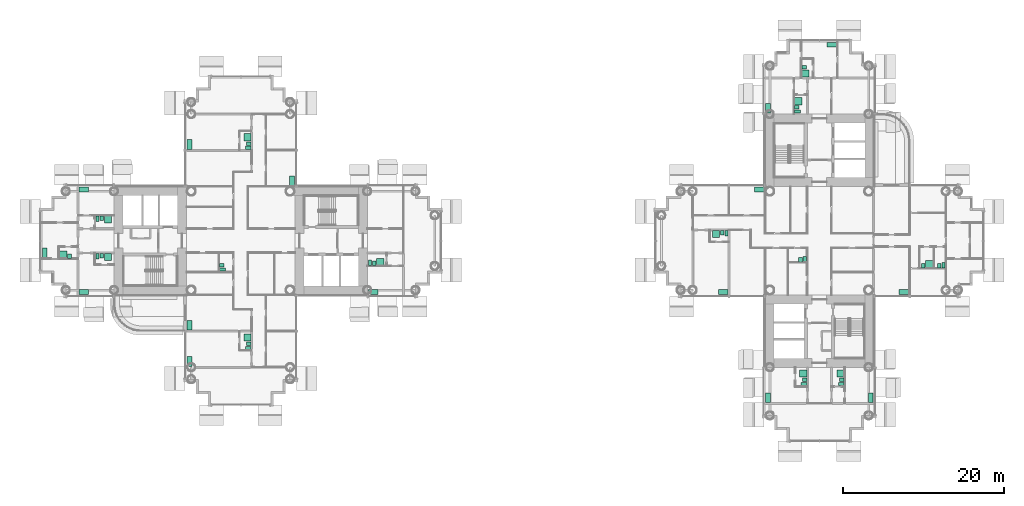
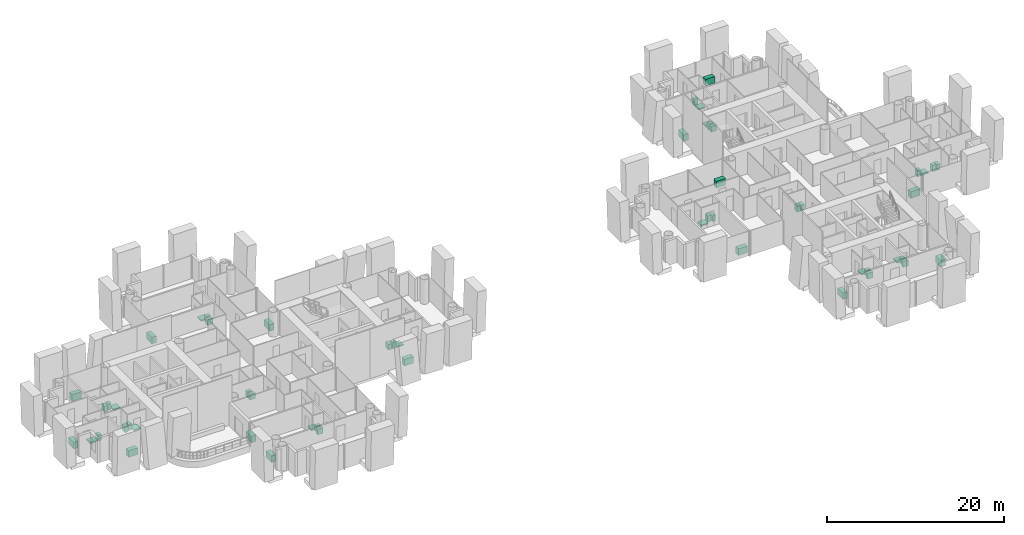
# One storey, part 25 of 25: 54 sanitary terminals.
"""IFC4 building model written with IfcOpenShell, lengths in metres."""

import ifcopenshell
import ifcopenshell.guid

model = None  # the IFC model being written
_history = None  # IfcOwnerHistory: only IFC2X3 demands one
_inside = {}  # id of a spatial element -> (the spatial element, [elements in it])
_under = {}  # id of a project, library or spatial element -> (it, [spatial elements below it])
_declared = {}  # id of a project -> (the project, [libraries it declares])
_typed = {}  # id of a type object -> (the type object, [elements of that type])
_made_of = {}  # id of a material, layer set ... -> (it, [elements and type objects made of it])


def new_model(schema):
    """Start an empty IFC model of exactly this schema.

    Asked for "IFC4X3", IfcOpenShell would pick the latest addendum, in which some entities
    have other attributes; the version numbers below select the first issue.
    IFC2X3 requires an IfcOwnerHistory on every rooted entity: one is made here for all.
    """
    global model, _history
    if schema == "IFC4X3":
        model = ifcopenshell.file(schema_version=(4, 3, 0, 0))
    else:
        model = ifcopenshell.file(schema=schema)
    _inside.clear()
    _under.clear()
    _declared.clear()
    _typed.clear()
    _made_of.clear()
    _history = None
    if model.schema == "IFC2X3":
        org = make("IfcOrganization", Name="unknown")
        user = make(
            "IfcPersonAndOrganization",
            ThePerson=make("IfcPerson", FamilyName="unknown"),
            TheOrganization=org,
        )
        app = make(
            "IfcApplication",
            ApplicationDeveloper=org,
            Version="unknown",
            ApplicationFullName="unknown",
            ApplicationIdentifier="unknown",
        )
        _history = make(
            "IfcOwnerHistory",
            OwningUser=user,
            OwningApplication=app,
            ChangeAction="ADDED",
            CreationDate=0,
        )
    return model


def make(cls, **values):
    """One entity of the class cls with the attributes given. An attribute that is None is left unset."""
    return model.create_entity(
        cls, **{name: value for name, value in values.items() if value is not None}
    )


def rooted(cls, **values):
    """An entity with a GlobalId (a new one), such as an element, a storey or a relation."""
    return make(cls, GlobalId=ifcopenshell.guid.new(), OwnerHistory=_history, **values)


def si_unit(unit_type, name, prefix=None):
    """IfcSIUnit, for example si_unit("LENGTHUNIT", "METRE", prefix="MILLI")."""
    return make("IfcSIUnit", UnitType=unit_type, Prefix=prefix, Name=name)


def assignment(units):
    """IfcUnitAssignment: the units of a project."""
    return None if units is None else make("IfcUnitAssignment", Units=units)


def point(xyz):
    """IfcCartesianPoint."""
    return None if xyz is None else make("IfcCartesianPoint", Coordinates=xyz)


def direction(xyz):
    """IfcDirection."""
    return None if xyz is None else make("IfcDirection", DirectionRatios=xyz)


def frame(location, z_axis=None, x_axis=None):
    """IfcAxis2Placement3D, a coordinate frame: its origin and axes. An axis left out is left unset."""
    return make(
        "IfcAxis2Placement3D",
        Location=point(location),
        Axis=direction(z_axis),
        RefDirection=direction(x_axis),
    )


def frame_2d(location, x_axis=None):
    """IfcAxis2Placement2D, a coordinate frame in the plane: its origin and x axis."""
    return make(
        "IfcAxis2Placement2D", Location=point(location), RefDirection=direction(x_axis)
    )


def origin():
    """The frame at (0, 0, 0) with its axes left unset."""
    return frame((0.0, 0.0, 0.0))


def origin_2d():
    """The frame at (0, 0) in the plane with its x axis left unset."""
    return frame_2d((0.0, 0.0))


def place(relative_to, where):
    """IfcLocalPlacement: puts the frame where relative to a parent placement (None: the world)."""
    return make(
        "IfcLocalPlacement", PlacementRelTo=relative_to, RelativePlacement=where
    )


def context(
    kind, dimensions, precision=None, world=None, true_north=None, identifier=None
):
    """IfcGeometricRepresentationContext, for example the 3D "Model" context."""
    return make(
        "IfcGeometricRepresentationContext",
        ContextIdentifier=identifier,
        ContextType=kind,
        CoordinateSpaceDimension=dimensions,
        Precision=precision,
        WorldCoordinateSystem=world,
        TrueNorth=true_north,
    )


def subcontext(parent, identifier, kind, view, scale=None):
    """IfcGeometricRepresentationSubContext, for example "Body" below "Model"."""
    return make(
        "IfcGeometricRepresentationSubContext",
        ContextIdentifier=identifier,
        ContextType=kind,
        ParentContext=parent,
        TargetScale=scale,
        TargetView=view,
    )


def project(units=None, contexts=None):
    """IfcProject with its units and contexts."""
    return rooted(
        "IfcProject",
        Name="project",
        RepresentationContexts=contexts,
        UnitsInContext=assignment(units),
    )


def spatial(cls, under=None, at=None, **own):
    """A site, building, storey or space (cls), placed at a placement, below another one or the project."""
    s = rooted(cls, ObjectPlacement=at, **own)
    if under is not None:
        _under.setdefault(under.id(), (under, []))[1].append(s)
    return s


def profile(cls, at=None, kind="AREA", **sizes):
    """A parametric profile (cls). Its sizes go by their IFC names, for example OverallWidth=200.0."""
    return make(cls, ProfileType=kind, Position=at, **sizes)


def rectangle(**sizes):
    """IfcRectangleProfileDef."""
    return profile("IfcRectangleProfileDef", **sizes)


def extrude(swept, where, along, depth):
    """IfcExtrudedAreaSolid: the profile swept, set in the frame where, extruded along a direction by depth."""
    return make(
        "IfcExtrudedAreaSolid",
        SweptArea=swept,
        Position=where,
        ExtrudedDirection=direction(along),
        Depth=depth,
    )


def shape(context_of_items, identifier, shape_type, items):
    """IfcShapeRepresentation: the items that make up one representation, for example the "Body"."""
    return make(
        "IfcShapeRepresentation",
        ContextOfItems=context_of_items,
        RepresentationIdentifier=identifier,
        RepresentationType=shape_type,
        Items=items,
    )


def material(Name=None, Category=None):
    """IfcMaterial."""
    return make("IfcMaterial", Name=Name, Category=Category)


def made_of(thing, what):
    """Note that an element or type object is made of a material, layer set ...; save() writes the relation."""
    if what is not None:
        _made_of.setdefault(what.id(), (what, []))[1].append(thing)
    return thing


def type_object(cls, material=None, **own):
    """A type object (cls), such as IfcWallType, which elements share."""
    return made_of(rooted(cls, **own), material)


def element(
    cls,
    number,
    at=None,
    inside=None,
    cuts=None,
    type_object=None,
    material=None,
    context=None,
    identifier="Body",
    shape_type=None,
    held_by="IfcProductDefinitionShape",
    body=None,
    shapes=None,
    **own,
):
    """One element of the class cls, such as IfcWall. Its Tag is "e" and its number.

    at: its placement. inside: the storey or other place that contains it. cuts: it is an
    opening in that element (IfcRelVoidsElement). A single representation is given by context,
    identifier, shape_type and body (its items); several are given by shapes. held_by: the class
    of the entity that holds the representations. save() writes the other relations.
    """
    e = rooted(cls, Tag="e%d" % number, ObjectPlacement=at, **own)
    if body is not None:
        shapes = [shape(context, identifier, shape_type, body)]
    if shapes is not None:
        e.Representation = make(held_by, Representations=shapes)
    if inside is not None:
        _inside.setdefault(inside.id(), (inside, []))[1].append(e)
    if cuts is not None:
        rooted(
            "IfcRelVoidsElement", RelatingBuildingElement=cuts, RelatedOpeningElement=e
        )
    if type_object is not None:
        _typed.setdefault(type_object.id(), (type_object, []))[1].append(e)
    return made_of(e, material)


def aggregate(whole, parts):
    """IfcRelAggregates: a whole, such as a stair, and the parts it consists of."""
    return rooted("IfcRelAggregates", RelatingObject=whole, RelatedObjects=parts)


def save(model, path):
    """Write the relations noted so far, then the file.

    IfcRelAggregates (storeys below a building ...), IfcRelContainedInSpatialStructure (elements
    in a storey), IfcRelDefinesByType, IfcRelAssociatesMaterial and IfcRelDeclares: one each for
    every whole, place, type object, material and project.
    """
    for whole, parts in _under.values():
        aggregate(whole, parts)
    for where, things in _inside.values():
        rooted(
            "IfcRelContainedInSpatialStructure",
            RelatedElements=things,
            RelatingStructure=where,
        )
    for kind, things in _typed.values():
        rooted("IfcRelDefinesByType", RelatedObjects=things, RelatingType=kind)
    for what, things in _made_of.values():
        rooted("IfcRelAssociatesMaterial", RelatedObjects=things, RelatingMaterial=what)
    for by, libraries in _declared.values():
        rooted("IfcRelDeclares", RelatingContext=by, RelatedDefinitions=libraries)
    model.write(path)


model = new_model("IFC4")

# Units and contexts
model_context = context("Model", 3, precision=1e-05, world=origin(), true_north=direction((0.0, 1.0)))
body_context = subcontext(model_context, "Body", "Model", "MODEL_VIEW")
ifc_project = project(units=[si_unit("LENGTHUNIT", "METRE"), si_unit("AREAUNIT", "SQUARE_METRE"), si_unit("VOLUMEUNIT", "CUBIC_METRE"), si_unit("PLANEANGLEUNIT", "RADIAN"), si_unit("MASSUNIT", "GRAM", prefix="KILO")], contexts=[model_context])

# Site, building, storey
site_placement = place(None, origin())
site = spatial("IfcSite", under=ifc_project, at=site_placement, CompositionType="ELEMENT")
building_placement = place(site_placement, origin())
building = spatial("IfcBuilding", under=site, at=building_placement, Name="Ipe Terrace Towers", CompositionType="ELEMENT")
storey_placement = place(building_placement, frame((0.0, 0.0, 65.300048828125)))
storey = spatial("IfcBuildingStorey", under=building, at=storey_placement, Name="L17", CompositionType="ELEMENT", Elevation=65.300048828125)

# Sanitary terminals
ifc_material_1 = material(Name="Stainless sink unit", Category="metal")
sanitary_terminal_type_1 = type_object("IfcSanitaryTerminalType", Name="Kitchen sink unit", PredefinedType="SINK", material=ifc_material_1)
for number, where, z_axis, x_axis, name in (
    (1, (-42.3798828125, 11.969970703125, 0.0), (0.0, 0.0, 1.0), (0.0, 1.0, 0.0), "Kitchen sink unit"),
    (2, (-29.6201171875, 7.469970703125, 0.0), (0.0, 0.0, 1.0), (0.0, -1.0, 0.0), "Kitchen sink unit"),
    (3, (-42.3798828125, -10.530029296875, 0.0), (0.0, 0.0, 1.0), (0.0, 1.0, 0.0), "Kitchen sink unit"),
    (4, (-42.3798828125, -15.030029296875, 0.0), (0.0, 0.0, 1.0), (0.0, 1.0, 0.0), "Kitchen sink unit"),
    (5, (-19.530029296875, -6.3798828125, 0.0), (0.0, 0.0, 1.0), (-1.0, 0.0, 0.0), "Kitchen sink unit"),
    (6, (-55.530029296875, -6.3798828125, 0.0), (0.0, 0.0, 1.0), (-1.0, 0.0, 0.0), "Kitchen sink unit"),
    (7, (-55.530029296875, 6.3798828125, 0.0), (0.0, 0.0, 1.0), (1.0, 0.0, 0.0), "Kitchen sink unit"),
    (8, (-60.3798828125, -1.530029296875, 0.0), (0.0, 0.0, 1.0), (0.0, 1.0, 0.0), "Kitchen sink unit"),
    (9, (24.030029296875, -6.3798828125, 0.0), (0.0, 0.0, 1.0), (-1.0, 0.0, 0.0), "Kitchen sink unit"),
    (10, (28.530029296875, 6.3798828125, 0.0), (0.0, 0.0, 1.0), (1.0, 0.0, 0.0), "Kitchen sink unit"),
    (11, (46.530029296875, -6.3798828125, 0.0), (0.0, 0.0, 1.0), (-1.0, 0.0, 0.0), "Kitchen sink unit"),
    (12, (29.6201171875, 16.469970703125, 0.0), (0.0, 0.0, 1.0), (0.0, 1.0, 0.0), "Kitchen sink unit"),
    (13, (37.530029296875, 24.3798828125, 0.0), (0.0, 0.0, 1.0), (1.0, 0.0, 0.0), "Kitchen sink unit"),
    (14, (42.3798828125, -19.530029296875, 0.0), (0.0, 0.0, 1.0), (0.0, -1.0, 0.0), "Kitchen sink unit"),
    (15, (29.6201171875, -19.530029296875, 0.0), (0.0, 0.0, 1.0), (0.0, 1.0, 0.0), "Kitchen sink unit"),
):
    element("IfcSanitaryTerminal", number, at=place(storey_placement, frame(where, z_axis=z_axis, x_axis=x_axis)), inside=storey, type_object=sanitary_terminal_type_1, Name=name, PredefinedType="SINK", context=body_context, shape_type="SweptSolid", body=[
        extrude(rectangle(XDim=1.199951171875, YDim=0.60009765625, at=origin_2d()), origin(), (0.0, 0.0, 1.0), 0.89990234375),
    ])
ifc_material_2 = material(Name="Acrylic", Category="plastic")
sanitary_terminal_type_2 = type_object("IfcSanitaryTerminalType", Name="Shower tray", PredefinedType="SHOWER", material=ifc_material_2)
for number, where, z_axis, x_axis, name in (
    (16, (-35.169921875, 12.8701171875, 0.0), (0.0, 0.0, 1.0), (-1.0, 0.0, 0.0), "Shower tray"),
    (17, (-35.169921875, -12.030029296875, 0.0), (0.0, 0.0, 1.0), (-1.0, 0.0, 0.0), "Shower tray"),
    (18, (-18.6298828125, -2.6298828125, 0.0), (0.0, 0.0, 1.0), (0.0, 1.0, 0.0), "Shower tray"),
    (19, (-52.530029296875, -2.02001953125, 0.0), (0.0, 0.0, 1.0), (0.0, -1.0, 0.0), "Shower tray"),
    (20, (-52.530029296875, 2.6298828125, 0.0), (0.0, 0.0, 1.0), (0.0, -1.0, 0.0), "Shower tray"),
    (21, (-58.080078125, -1.72998046875, 0.0), (0.0, 0.0, 1.0), (0.0, 1.0, 0.0), "Shower tray"),
    (22, (23.1298828125, 0.830078125, 0.0), (0.0, 0.0, 1.0), (0.0, -1.0, 0.0), "Shower tray"),
    (23, (49.679931640625, -2.929931640625, 0.0), (0.0, 0.0, 1.0), (0.0, 1.0, 0.0), "Shower tray"),
    (24, (33.3701171875, 17.3701171875, 0.0), (0.0, 0.0, 1.0), (1.0, 0.0, 0.0), "Shower tray"),
    (25, (34.27001953125, 20.820068359375, 0.0), (0.0, 0.0, 1.0), (1.0, 0.0, 0.0), "Shower tray"),
    (26, (38.6298828125, -16.530029296875, 0.0), (0.0, 0.0, 1.0), (-1.0, 0.0, 0.0), "Shower tray"),
    (27, (33.97998046875, -16.530029296875, 0.0), (0.0, 0.0, 1.0), (-1.0, 0.0, 0.0), "Shower tray"),
):
    element("IfcSanitaryTerminal", number, at=place(storey_placement, frame(where, z_axis=z_axis, x_axis=x_axis)), inside=storey, type_object=sanitary_terminal_type_2, Name=name, PredefinedType="SHOWER", context=body_context, shape_type="SweptSolid", body=[
        extrude(rectangle(XDim=0.89990234375, YDim=0.89990234375, at=origin_2d()), origin(), (0.0, 0.0, 1.0), 0.14990234375),
    ])
ifc_material_3 = material(Name="Vitreous china", Category="ceramic")
sanitary_terminal_type_3 = type_object("IfcSanitaryTerminalType", Name="Wash basin", PredefinedType="WASHHANDBASIN", material=ifc_material_3)
for number, where, z_axis, x_axis, name in (
    (28, (-38.35498046875, -3.054931640625, 0.0), (0.0, 0.0, 1.0), (1.0, 0.0, 0.0), "Wash basin"),
    (29, (-34.9951171875, 12.094970703125, 0.0), (0.0, 0.0, 1.0), (-1.0, 0.0, 0.0), "Wash basin"),
    (30, (-34.9951171875, -12.804931640625, 0.0), (0.0, 0.0, 1.0), (-1.0, 0.0, 0.0), "Wash basin"),
    (31, (-19.405029296875, -2.804931640625, 0.0), (0.0, 0.0, 1.0), (0.0, 1.0, 0.0), "Wash basin"),
    (32, (-53.304931640625, -1.844970703125, 0.0), (0.0, 0.0, 1.0), (0.0, -1.0, 0.0), "Wash basin"),
    (33, (-53.304931640625, 2.804931640625, 0.0), (0.0, 0.0, 1.0), (0.0, -1.0, 0.0), "Wash basin"),
    (34, (-57.304931640625, -1.905029296875, 0.0), (0.0, 0.0, 1.0), (0.0, 1.0, 0.0), "Wash basin"),
    (35, (33.655029296875, -2.35498046875, 0.0), (0.0, 0.0, 1.0), (0.0, 1.0, 0.0), "Wash basin"),
    (36, (23.905029296875, 1.0048828125, 0.0), (0.0, 0.0, 1.0), (0.0, -1.0, 0.0), "Wash basin"),
    (37, (48.905029296875, -3.10498046875, 0.0), (0.0, 0.0, 1.0), (0.0, 1.0, 0.0), "Wash basin"),
    (38, (50.905029296875, -3.10498046875, 0.0), (0.0, 0.0, 1.0), (0.0, 1.0, 0.0), "Wash basin"),
    (39, (33.195068359375, 16.594970703125, 0.0), (0.0, 0.0, 1.0), (1.0, 0.0, 0.0), "Wash basin"),
    (40, (34.094970703125, 21.594970703125, 0.0), (0.0, 0.0, 1.0), (1.0, 0.0, 0.0), "Wash basin"),
    (41, (38.804931640625, -17.304931640625, 0.0), (0.0, 0.0, 1.0), (-1.0, 0.0, 0.0), "Wash basin"),
    (42, (34.155029296875, -17.304931640625, 0.0), (0.0, 0.0, 1.0), (-1.0, 0.0, 0.0), "Wash basin"),
):
    element("IfcSanitaryTerminal", number, at=place(storey_placement, frame(where, z_axis=z_axis, x_axis=x_axis)), inside=storey, type_object=sanitary_terminal_type_3, Name=name, PredefinedType="WASHHANDBASIN", context=body_context, shape_type="SweptSolid", body=[
        extrude(rectangle(XDim=0.550048828125, YDim=0.449951171875, at=origin_2d()), origin(), (0.0, 0.0, 1.0), 0.85009765625),
    ])
ifc_material_4 = material(Name="Vitreous china", Category="ceramic")
sanitary_terminal_type_4 = type_object("IfcSanitaryTerminalType", Name="Water closet", PredefinedType="TOILETPAN", material=ifc_material_4)
for number, where, z_axis, x_axis, name in (
    (43, (-38.280029296875, -3.580078125, 0.0), (0.0, 0.0, 1.0), (1.0, 0.0, 0.0), "Water closet"),
    (44, (-35.070068359375, 11.570068359375, 0.0), (0.0, 0.0, 1.0), (-1.0, 0.0, 0.0), "Water closet"),
    (45, (-35.070068359375, -13.330078125, 0.0), (0.0, 0.0, 1.0), (-1.0, 0.0, 0.0), "Water closet"),
    (46, (-19.929931640625, -2.72998046875, 0.0), (0.0, 0.0, 1.0), (0.0, 1.0, 0.0), "Water closet"),
    (47, (-53.830078125, -1.919921875, 0.0), (0.0, 0.0, 1.0), (0.0, -1.0, 0.0), "Water closet"),
    (48, (-53.830078125, 2.72998046875, 0.0), (0.0, 0.0, 1.0), (0.0, -1.0, 0.0), "Water closet"),
    (49, (34.179931640625, -2.280029296875, 0.0), (0.0, 0.0, 1.0), (0.0, 1.0, 0.0), "Water closet"),
    (50, (24.429931640625, 0.929931640625, 0.0), (0.0, 0.0, 1.0), (0.0, -1.0, 0.0), "Water closet"),
    (51, (51.429931640625, -3.030029296875, 0.0), (0.0, 0.0, 1.0), (0.0, 1.0, 0.0), "Water closet"),
    (52, (33.27001953125, 16.070068359375, 0.0), (0.0, 0.0, 1.0), (1.0, 0.0, 0.0), "Water closet"),
    (53, (38.72998046875, -17.830078125, 0.0), (0.0, 0.0, 1.0), (-1.0, 0.0, 0.0), "Water closet"),
    (54, (34.080078125, -17.830078125, 0.0), (0.0, 0.0, 1.0), (-1.0, 0.0, 0.0), "Water closet"),
):
    element("IfcSanitaryTerminal", number, at=place(storey_placement, frame(where, z_axis=z_axis, x_axis=x_axis)), inside=storey, type_object=sanitary_terminal_type_4, Name=name, PredefinedType="TOILETPAN", context=body_context, shape_type="SweptSolid", body=[
        extrude(rectangle(XDim=0.699951171875, YDim=0.39990234375, at=origin_2d()), origin(), (0.0, 0.0, 1.0), 0.780029296875),
    ])

save(model, "model.ifc")
